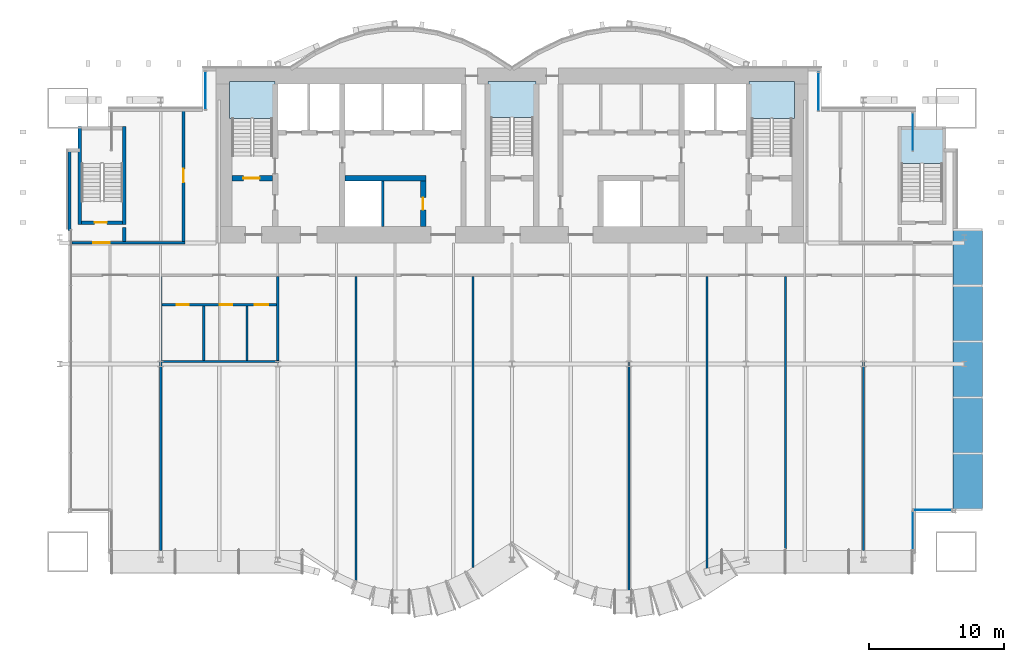
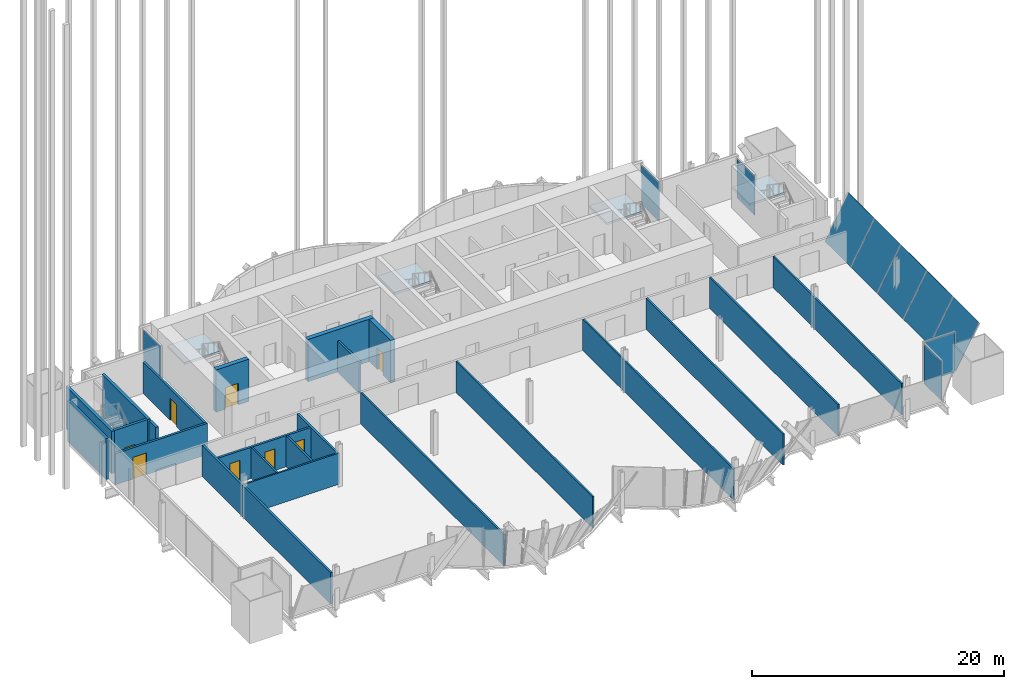
# One storey, part 17 of 22: 23 walls, 10 plates, 8 doors, 4 slabs, 8 openings, 10 elements without a shape of their own.
"""IFC4 building model written with IfcOpenShell, lengths in metres."""

from ifc_helpers import new_model, si_unit, direction, frame, frame_2d, origin, origin_2d, place, context, subcontext, project, spatial, polyline, rectangle, outline, extrude, material, layer, layer_set, layer_usage, type_object, element, fill, aggregate, save


model = new_model("IFC4")

# Units and contexts
model_context = context("Model", 3, precision=1e-05, world=origin(), true_north=direction((0.0, 1.0)))
body_context = subcontext(model_context, "Body", "Model", "MODEL_VIEW")
ifc_project = project(units=[si_unit("LENGTHUNIT", "METRE"), si_unit("AREAUNIT", "SQUARE_METRE"), si_unit("VOLUMEUNIT", "CUBIC_METRE"), si_unit("PLANEANGLEUNIT", "RADIAN"), si_unit("MASSUNIT", "GRAM", prefix="KILO")], contexts=[model_context])

# Site, building, storey
site_placement = place(None, origin())
site = spatial("IfcSite", under=ifc_project, at=site_placement, CompositionType="ELEMENT")
building_placement = place(site_placement, origin())
building = spatial("IfcBuilding", under=site, at=building_placement, Name="Bicima Exchange Tower", CompositionType="ELEMENT")
storey_placement = place(building_placement, frame((0.0, 0.0, 89.89990234375)))
storey = spatial("IfcBuildingStorey", under=building, at=storey_placement, Name="L18", CompositionType="ELEMENT", Elevation=89.89990234375)

# Curtain wall, plate
ifc_material_1 = material(Name="Anodised bronze aluminium", Category="aluminium")
curtain_wall_type = type_object("IfcCurtainWallType", Name="Front glass wall", PredefinedType="NOTDEFINED", material=ifc_material_1)
curtain_wall_1_placement = place(storey_placement, origin())
curtain_wall_1 = element("IfcCurtainWall", 1, at=curtain_wall_1_placement, inside=storey, type_object=curtain_wall_type, Name="Front glass wall L18 run 2", PredefinedType="NOTDEFINED")
ifc_material_2 = material(Name="Bronze tinted glass", Category="glass")
ifc_layer_1 = layer(ifc_material_2, 0.031982421875)
ifc_layer_set_1 = layer_set([ifc_layer_1], Name="Bronze tinted glass")
plate_type_1 = type_object("IfcPlateType", Name="Front glass wall glass panel 32", PredefinedType="CURTAIN_PANEL", material=ifc_layer_set_1)
plate_1_placement = place(storey_placement, frame((29.77001953125, -4.77001953125, 0.0), z_axis=(0.0, 0.0, 1.0), x_axis=(0.0, 1.0, 0.0)))
plate_1 = element("IfcPlate", 2, at=plate_1_placement, type_object=plate_type_1, Name="Front glass wall panel 1.1", PredefinedType="CURTAIN_PANEL", context=body_context, shape_type="SweptSolid", body=[
    extrude(rectangle(XDim=2.800048828125, YDim=0.031982421875, at=origin_2d()), origin(), (0.0, 0.0, 1.0), 3.81005859375),
])
aggregate(curtain_wall_1, [plate_1])

curtain_wall_2_placement = place(storey_placement, origin())
curtain_wall_2 = element("IfcCurtainWall", 3, at=curtain_wall_2_placement, inside=storey, type_object=curtain_wall_type, Name="Front glass wall L18 run 3", PredefinedType="NOTDEFINED")
plate_2_placement = place(storey_placement, frame((22.77001953125, -1.77001953125, 0.0), z_axis=(0.0, 0.0, 1.0), x_axis=(0.0, 1.0, 0.0)))
plate_2 = element("IfcPlate", 4, at=plate_2_placement, type_object=plate_type_1, Name="Front glass wall panel 1.1", PredefinedType="CURTAIN_PANEL", context=body_context, shape_type="SweptSolid", body=[
    extrude(rectangle(XDim=2.800048828125, YDim=0.031982421875, at=origin_2d()), origin(), (0.0, 0.0, 1.0), 3.81005859375),
])
aggregate(curtain_wall_2, [plate_2])

curtain_wall_3_placement = place(storey_placement, origin())
curtain_wall_3 = element("IfcCurtainWall", 5, at=curtain_wall_3_placement, inside=storey, type_object=curtain_wall_type, Name="Front glass wall L18 run 4", PredefinedType="NOTDEFINED")
plate_3_placement = place(storey_placement, frame((-22.77001953125, -1.68994140625, 0.0), z_axis=(0.0, 0.0, 1.0), x_axis=(0.0, -1.0, 0.0)))
plate_3 = element("IfcPlate", 6, at=plate_3_placement, type_object=plate_type_1, Name="Front glass wall panel 1.1", PredefinedType="CURTAIN_PANEL", context=body_context, shape_type="SweptSolid", body=[
    extrude(rectangle(XDim=2.800048828125, YDim=0.031982421875, at=origin_2d()), origin(), (0.0, 0.0, 1.0), 3.81005859375),
])
aggregate(curtain_wall_3, [plate_3])

curtain_wall_4_placement = place(storey_placement, origin())
curtain_wall_4 = element("IfcCurtainWall", 7, at=curtain_wall_4_placement, inside=storey, type_object=curtain_wall_type, Name="Front glass wall L18 run 21", PredefinedType="NOTDEFINED")
plate_4_placement = place(storey_placement, frame((29.77001953125, -34.382080078125, 0.0), z_axis=(0.0, 0.0, 1.0), x_axis=(0.0, 1.0, 0.0)))
plate_4 = element("IfcPlate", 8, at=plate_4_placement, type_object=plate_type_1, Name="Front glass wall panel 1.1", PredefinedType="CURTAIN_PANEL", context=body_context, shape_type="SweptSolid", body=[
    extrude(rectangle(XDim=2.800048828125, YDim=0.031982421875, at=origin_2d()), origin(), (0.0, 0.0, 1.0), 3.81005859375),
])
aggregate(curtain_wall_4, [plate_4])

curtain_wall_5_placement = place(storey_placement, origin())
curtain_wall_5 = element("IfcCurtainWall", 9, at=curtain_wall_5_placement, inside=storey, type_object=curtain_wall_type, Name="Front glass wall L18 run 22", PredefinedType="NOTDEFINED")
plate_5_placement = place(storey_placement, frame((31.22998046875, -32.842041015625, 0.0), z_axis=(0.0, 0.0, 1.0), x_axis=(1.0, 0.0, 0.0)))
plate_5 = element("IfcPlate", 10, at=plate_5_placement, type_object=plate_type_1, Name="Front glass wall panel 1.1", PredefinedType="CURTAIN_PANEL", context=body_context, shape_type="SweptSolid", body=[
    extrude(rectangle(XDim=2.800048828125, YDim=0.031982421875, at=origin_2d()), origin(), (0.0, 0.0, 1.0), 3.81005859375),
])
aggregate(curtain_wall_5, [plate_5])

# Curtain wall, plates
curtain_wall_6_placement = place(storey_placement, origin())
curtain_wall_6 = element("IfcCurtainWall", 11, at=curtain_wall_6_placement, inside=storey, type_object=curtain_wall_type, Name="Canted glass wall L18 1.1", PredefinedType="NOTDEFINED")
ifc_material_3 = material(Name="Bronze anodised aluminium", Category="aluminium")
ifc_layer_2 = layer(ifc_material_3, 0.031982421875)
ifc_layer_set_2 = layer_set([ifc_layer_2], Name="Bronze anodised aluminium")
plate_type_2 = type_object("IfcPlateType", Name="Front glass wall spandrel panel 32", PredefinedType="CURTAIN_PANEL", material=ifc_layer_set_2)
plate_6_placement = place(storey_placement, frame((32.77001953125, -32.781982421875, 0.0), z_axis=(-0.876673101154, 0.0, 0.481086555324), x_axis=(0.0, 1.0, 0.0)))
plate_6 = element("IfcPlate", 12, at=plate_6_placement, type_object=plate_type_2, Name="Canted glass panel 1", PredefinedType="CURTAIN_PANEL", context=body_context, shape_type="SweptSolid", body=[
    extrude(outline(polyline([(0.0, 0.0), (4.096435546875, 0.0), (4.096435546875, -4.5058931399875615), (0.0, -4.5058931399875615), (0.0, 0.0)])), origin(), (0.0, 0.0, -1.0), 0.031982421875),
])
plate_7_placement = place(storey_placement, frame((32.77001953125, -28.62548828125, 0.0), z_axis=(-0.876673101154, 0.0, 0.481086555324), x_axis=(0.0, 1.0, 0.0)))
plate_7 = element("IfcPlate", 13, at=plate_7_placement, type_object=plate_type_2, Name="Canted glass panel 2", PredefinedType="CURTAIN_PANEL", context=body_context, shape_type="SweptSolid", body=[
    extrude(outline(polyline([(0.0, 0.0), (4.09619140625, 0.0), (4.09619140625, -4.505893139987562), (0.0, -4.505893139987562), (0.0, 0.0)])), origin(), (0.0, 0.0, -1.0), 0.031982421875),
])
plate_8_placement = place(storey_placement, frame((32.77001953125, -24.46923828125, 0.0), z_axis=(-0.876673101154, 0.0, 0.481086555324), x_axis=(0.0, 1.0, 0.0)))
plate_8 = element("IfcPlate", 14, at=plate_8_placement, type_object=plate_type_2, Name="Canted glass panel 3", PredefinedType="CURTAIN_PANEL", context=body_context, shape_type="SweptSolid", body=[
    extrude(outline(polyline([(0.0, 0.0), (4.096435546875, 0.0), (4.096435546875, -4.5058931399875615), (0.0, -4.5058931399875615), (0.0, 0.0)])), origin(), (0.0, 0.0, -1.0), 0.031982421875),
])
plate_9_placement = place(storey_placement, frame((32.77001953125, -20.312744140625, 0.0), z_axis=(-0.876673101154, 0.0, 0.481086555324), x_axis=(0.0, 1.0, 0.0)))
plate_9 = element("IfcPlate", 15, at=plate_9_placement, type_object=plate_type_2, Name="Canted glass panel 4", PredefinedType="CURTAIN_PANEL", context=body_context, shape_type="SweptSolid", body=[
    extrude(outline(polyline([(0.0, 0.0), (4.096435546875, 0.0), (4.096435546875, -4.5058931399875615), (0.0, -4.5058931399875615), (0.0, 0.0)])), origin(), (0.0, 0.0, -1.0), 0.031982421875),
])
plate_10_placement = place(storey_placement, frame((32.77001953125, -16.156494140625, 0.0), z_axis=(-0.876673101154, 0.0, 0.481086555324), x_axis=(0.0, 1.0, 0.0)))
plate_10 = element("IfcPlate", 16, at=plate_10_placement, type_object=plate_type_2, Name="Canted glass panel 5", PredefinedType="CURTAIN_PANEL", context=body_context, shape_type="SweptSolid", body=[
    extrude(outline(polyline([(0.0, 0.0), (4.096435546875, 0.0), (4.096435546875, -4.5058931399875615), (0.0, -4.5058931399875615), (0.0, 0.0)])), origin(), (0.0, 0.0, -1.0), 0.031982421875),
])
aggregate(curtain_wall_6, [plate_6, plate_7, plate_8, plate_9, plate_10])

# Stair, slab
ifc_material_4 = material(Name="Concrete C50/60", Category="concrete")
stair_type_1 = type_object("IfcStairType", Name="Exit stair", PredefinedType="HALF_TURN_STAIR", material=ifc_material_4)
stair_1_placement = place(storey_placement, origin())
stair_1 = element("IfcStair", 17, at=stair_1_placement, inside=storey, type_object=stair_type_1, Name="L18 West exit stair", PredefinedType="HALF_TURN_STAIR")
ifc_layer_3 = layer(ifc_material_4, 0.199951171875)
ifc_layer_set_3 = layer_set([ifc_layer_3], Name="Concrete C50/60")
slab_type = type_object("IfcSlabType", Name="Stair landing slab", PredefinedType="LANDING", material=ifc_layer_set_3)
slab_1_placement = place(storey_placement, frame((0.0, 0.0, 1.85009765625)))
slab_1 = element("IfcSlab", 18, at=slab_1_placement, type_object=slab_type, Name="ST-W landing 1", PredefinedType="LANDING", context=body_context, shape_type="SweptSolid", body=[
    extrude(outline(polyline([(-17.60009765625, -3.75), (-17.60009765625, -1.0), (-21.0, -1.0), (-21.0, -3.75), (-17.60009765625, -3.75)])), origin(), (0.0, 0.0, 1.0), 0.199951171875),
])
aggregate(stair_1, [slab_1])

stair_type_2 = type_object("IfcStairType", Name="Exit stair 1500", PredefinedType="HALF_TURN_STAIR", material=ifc_material_4)
stair_2_placement = place(storey_placement, origin())
stair_2 = element("IfcStair", 19, at=stair_2_placement, inside=storey, type_object=stair_type_2, Name="L18 Central exit stair", PredefinedType="HALF_TURN_STAIR")
slab_2_placement = place(storey_placement, frame((0.0, 0.0, 1.85009765625)))
slab_2 = element("IfcSlab", 20, at=slab_2_placement, type_object=slab_type, Name="ST-C landing 1", PredefinedType="LANDING", context=body_context, shape_type="SweptSolid", body=[
    extrude(outline(polyline([(1.77490234375, -3.699951171875), (1.77490234375, -1.0), (-1.77490234375, -1.0), (-1.77490234375, -3.699951171875), (1.77490234375, -3.699951171875)])), origin(), (0.0, 0.0, 1.0), 0.199951171875),
])
aggregate(stair_2, [slab_2])

stair_3_placement = place(storey_placement, origin())
stair_3 = element("IfcStair", 21, at=stair_3_placement, inside=storey, type_object=stair_type_1, Name="L18 East exit stair", PredefinedType="HALF_TURN_STAIR")
slab_3_placement = place(storey_placement, frame((0.0, 0.0, 1.85009765625)))
slab_3 = element("IfcSlab", 22, at=slab_3_placement, type_object=slab_type, Name="ST-E landing 1", PredefinedType="LANDING", context=body_context, shape_type="SweptSolid", body=[
    extrude(outline(polyline([(21.0, -3.75), (21.0, -1.0), (17.60009765625, -1.0), (17.60009765625, -3.75), (21.0, -3.75)])), origin(), (0.0, 0.0, 1.0), 0.199951171875),
])
aggregate(stair_3, [slab_3])

stair_4_placement = place(storey_placement, origin())
stair_4 = element("IfcStair", 23, at=stair_4_placement, inside=storey, type_object=stair_type_1, Name="L18 East end exit stair", PredefinedType="HALF_TURN_STAIR")
slab_4_placement = place(storey_placement, frame((0.0, 0.0, 1.85009765625)))
slab_4 = element("IfcSlab", 24, at=slab_4_placement, type_object=slab_type, Name="ST-EE landing 1", PredefinedType="LANDING", context=body_context, shape_type="SweptSolid", body=[
    extrude(outline(polyline([(32.175048828125, -7.125), (32.175048828125, -4.425048828125), (28.72509765625, -4.425048828125), (28.72509765625, -7.125), (32.175048828125, -7.125)])), origin(), (0.0, 0.0, 1.0), 0.199951171875),
])
aggregate(stair_4, [slab_4])

# Wall
ifc_material_5 = material(Name="Gypsum board partition")
ifc_layer_4 = layer(ifc_material_5, 0.199951171875)
ifc_layer_set_4 = layer_set([ifc_layer_4], Name="Gypsum board partition")
wall_type_1 = type_object("IfcWallType", Name="Fire-rated gypsum partition 200 EI120", PredefinedType="PARTITIONING", material=ifc_layer_set_4)
wall_1_placement = place(storey_placement, frame((-9.60009765625, -11.800048828125, 0.0), z_axis=(0.0, 0.0, 1.0), x_axis=(0.0, 1.0, 0.0)))
element("IfcWall", 25, at=wall_1_placement, inside=storey, type_object=wall_type_1, Name="partition wall 11", PredefinedType="PARTITIONING", context=body_context, shape_type="SweptSolid", body=[
    extrude(rectangle(XDim=3.400146484375, YDim=0.199951171875, at=frame_2d((1.7001953125, 0.0))), origin(), (0.0, 0.0, 1.0), 3.018310546875),
])

# Wall, openings, doors
ifc_layer_5 = layer(ifc_material_5, 0.199951171875)
ifc_layer_set_5 = layer_set([ifc_layer_5], Name="Gypsum board partition")
wall_type_2 = type_object("IfcWallType", Name="Fire-rated gypsum partition 200 EI60", PredefinedType="PARTITIONING", material=ifc_layer_set_5)
wall_2_placement = place(storey_placement, frame((-26.0, -17.60009765625, 0.0), z_axis=(0.0, 0.0, 1.0), x_axis=(1.0, 0.0, 0.0)))
wall_2 = element("IfcWall", 26, at=wall_2_placement, inside=storey, type_object=wall_type_2, Name="partition wall 2", PredefinedType="PARTITIONING", context=body_context, shape_type="SweptSolid", body=[
    extrude(rectangle(XDim=8.5, YDim=0.199951171875, at=frame_2d((4.25, 0.0))), origin(), (0.0, 0.0, 1.0), 3.018310546875),
])
opening_1_placement = place(wall_2_placement, frame((1.10009765625, 0.0, 0.0)))
opening_1 = element("IfcOpeningElement", 27, at=opening_1_placement, cuts=wall_2, Name="Opening L18-009", PredefinedType="OPENING", context=body_context, shape_type="SweptSolid", body=[
    extrude(rectangle(XDim=0.89990234375, YDim=2.10009765625, at=frame_2d((0.449951171875, 1.050048828125))), frame((0.0, 0.11181640625, 0.0), z_axis=(0.0, -1.0, 0.0), x_axis=(1.0, 0.0, 0.0)), (0.0, 0.0, 1.0), 0.223876953125),
])
opening_2_placement = place(wall_2_placement, frame((4.300048828125, 0.0, 0.0)))
opening_2 = element("IfcOpeningElement", 28, at=opening_2_placement, cuts=wall_2, Name="Opening L18-010", PredefinedType="OPENING", context=body_context, shape_type="SweptSolid", body=[
    extrude(rectangle(XDim=0.89990234375, YDim=2.10009765625, at=frame_2d((0.449951171875, 1.050048828125))), frame((0.0, 0.11181640625, 0.0), z_axis=(0.0, -1.0, 0.0), x_axis=(1.0, 0.0, 0.0)), (0.0, 0.0, 1.0), 0.223876953125),
])
opening_3_placement = place(wall_2_placement, frame((6.89990234375, 0.0, 0.0)))
opening_3 = element("IfcOpeningElement", 29, at=opening_3_placement, cuts=wall_2, Name="Opening L18-011", PredefinedType="OPENING", context=body_context, shape_type="SweptSolid", body=[
    extrude(rectangle(XDim=1.0, YDim=2.10009765625, at=frame_2d((0.5, 1.050048828125))), frame((0.0, 0.11181640625, 0.0), z_axis=(0.0, -1.0, 0.0), x_axis=(1.0, 0.0, 0.0)), (0.0, 0.0, 1.0), 0.223876953125),
])
ifc_material_6 = material(Name="Steel fire door leaf", Category="steel")
door_type_1 = type_object("IfcDoorType", Name="Door 1000 swing FD30S", OperationType="SINGLE_SWING_LEFT", PredefinedType="DOOR", material=ifc_material_6)
door_1_placement = place(opening_3_placement, frame((1.0, 0.0, 0.0), z_axis=(0.0, 0.0, 1.0), x_axis=(-1.0, 0.0, 0.0)))
door_1 = element("IfcDoor", 30, at=door_1_placement, inside=storey, type_object=door_type_1, Name="Door", OperationType="SINGLE_SWING_RIGHT", OverallHeight=2.10009765625, OverallWidth=1.0, PredefinedType="DOOR", context=body_context, shape_type="SweptSolid", body=[
    extrude(rectangle(XDim=1.0, YDim=2.10009765625, at=frame_2d((0.5, 1.050048828125))), frame((0.0, 0.02490234375, 0.0), z_axis=(0.0, -1.0, 0.0), x_axis=(1.0, 0.0, 0.0)), (0.0, 0.0, 1.0), 0.050048828125),
])
fill(opening_3, door_1)
door_type_2 = type_object("IfcDoorType", Name="Door 900 swing FD30S", OperationType="SINGLE_SWING_LEFT", PredefinedType="DOOR", material=ifc_material_6)
door_2_placement = place(opening_1_placement, frame((0.89990234375, 0.0, 0.0), z_axis=(0.0, 0.0, 1.0), x_axis=(-1.0, 0.0, 0.0)))
door_2 = element("IfcDoor", 31, at=door_2_placement, inside=storey, type_object=door_type_2, Name="Door", OperationType="SINGLE_SWING_RIGHT", OverallHeight=2.10009765625, OverallWidth=0.89990234375, PredefinedType="DOOR", context=body_context, shape_type="SweptSolid", body=[
    extrude(rectangle(XDim=0.89990234375, YDim=2.10009765625, at=frame_2d((0.449951171875, 1.050048828125))), frame((0.0, 0.02490234375, 0.0), z_axis=(0.0, -1.0, 0.0), x_axis=(1.0, 0.0, 0.0)), (0.0, 0.0, 1.0), 0.050048828125),
])
fill(opening_1, door_2)
door_3_placement = place(opening_2_placement, frame((0.89990234375, 0.0, 0.0), z_axis=(0.0, 0.0, 1.0), x_axis=(-1.0, 0.0, 0.0)))
door_3 = element("IfcDoor", 32, at=door_3_placement, inside=storey, type_object=door_type_2, Name="Door", OperationType="SINGLE_SWING_LEFT", OverallHeight=2.10009765625, OverallWidth=0.89990234375, PredefinedType="DOOR", context=body_context, shape_type="SweptSolid", body=[
    extrude(rectangle(XDim=0.89990234375, YDim=2.10009765625, at=frame_2d((0.449951171875, 1.050048828125))), frame((0.0, 0.02490234375, 0.0), z_axis=(0.0, -1.0, 0.0), x_axis=(1.0, 0.0, 0.0)), (0.0, 0.0, 1.0), 0.050048828125),
])
fill(opening_2, door_3)

# Wall, opening, door
wall_3_placement = place(storey_placement, frame((-32.699951171875, -13.0, 0.0), z_axis=(0.0, 0.0, 1.0), x_axis=(1.0, 0.0, 0.0)))
wall_3 = element("IfcWall", 33, at=wall_3_placement, inside=storey, type_object=wall_type_2, Name="partition wall 4", PredefinedType="PARTITIONING", context=body_context, shape_type="SweptSolid", body=[
    extrude(rectangle(XDim=8.39990234375, YDim=0.199951171875, at=frame_2d((4.199951171875, 0.0))), origin(), (0.0, 0.0, 1.0), 3.018310546875),
])
opening_4_placement = place(wall_3_placement, frame((1.60009765625, 0.0, 0.0)))
opening_4 = element("IfcOpeningElement", 34, at=opening_4_placement, cuts=wall_3, Name="Opening L18-001", PredefinedType="OPENING", context=body_context, shape_type="SweptSolid", body=[
    extrude(rectangle(XDim=1.199951171875, YDim=2.10009765625, at=frame_2d((0.60009765625, 1.050048828125))), frame((0.0, 0.11181640625, 0.0), z_axis=(0.0, -1.0, 0.0), x_axis=(1.0, 0.0, 0.0)), (0.0, 0.0, 1.0), 0.223876953125),
])
door_type_3 = type_object("IfcDoorType", Name="Door 1200 swing FD30S", OperationType="SINGLE_SWING_LEFT", PredefinedType="DOOR", material=ifc_material_6)
door_4_placement = place(opening_4_placement, origin())
door_4 = element("IfcDoor", 35, at=door_4_placement, inside=storey, type_object=door_type_3, Name="Door", OperationType="SINGLE_SWING_LEFT", OverallHeight=2.10009765625, OverallWidth=1.199951171875, PredefinedType="DOOR", context=body_context, shape_type="SweptSolid", body=[
    extrude(rectangle(XDim=1.199951171875, YDim=2.10009765625, at=frame_2d((0.60009765625, 1.050048828125))), frame((0.0, 0.02490234375, 0.0), z_axis=(0.0, -1.0, 0.0), x_axis=(1.0, 0.0, 0.0)), (0.0, 0.0, 1.0), 0.050048828125),
])
fill(opening_4, door_4)

# Wall
wall_4_placement = place(storey_placement, frame((-26.10009765625, -35.860107421875, 0.0), z_axis=(0.0, 0.0, 1.0), x_axis=(0.0, 1.0, 0.0)))
element("IfcWall", 36, at=wall_4_placement, inside=storey, type_object=wall_type_2, Name="partition wall 15", PredefinedType="PARTITIONING", context=body_context, shape_type="SweptSolid", body=[
    extrude(rectangle(XDim=20.360107421875, YDim=0.199951171875, at=frame_2d((10.18017578125, 0.0))), origin(), (0.0, 0.0, 1.0), 3.018310546875),
])

# Wall, opening, door
wall_5_placement = place(storey_placement, frame((-24.39990234375, -12.89990234375, 0.0), z_axis=(0.0, 0.0, 1.0), x_axis=(0.0, 1.0, 0.0)))
wall_5 = element("IfcWall", 37, at=wall_5_placement, inside=storey, type_object=wall_type_2, Name="partition wall 16", PredefinedType="PARTITIONING", context=body_context, shape_type="SweptSolid", body=[
    extrude(rectangle(XDim=9.68994140625, YDim=0.199951171875, at=frame_2d((4.844970703125, 0.0))), origin(), (0.0, 0.0, 1.0), 3.018310546875),
])
opening_5_placement = place(wall_5_placement, frame((4.39990234375, 0.0, 0.0)))
opening_5 = element("IfcOpeningElement", 38, at=opening_5_placement, cuts=wall_5, Name="Opening L18-005", PredefinedType="OPENING", context=body_context, shape_type="SweptSolid", body=[
    extrude(rectangle(XDim=1.0, YDim=2.10009765625, at=frame_2d((0.5, 1.050048828125))), frame((0.0, 0.11181640625, 0.0), z_axis=(0.0, -1.0, 0.0), x_axis=(1.0, 0.0, 0.0)), (0.0, 0.0, 1.0), 0.223876953125),
])
door_5_placement = place(opening_5_placement, origin())
door_5 = element("IfcDoor", 39, at=door_5_placement, inside=storey, type_object=door_type_1, Name="Door", OperationType="SINGLE_SWING_LEFT", OverallHeight=2.10009765625, OverallWidth=1.0, PredefinedType="DOOR", context=body_context, shape_type="SweptSolid", body=[
    extrude(rectangle(XDim=1.0, YDim=2.10009765625, at=frame_2d((0.5, 1.050048828125))), frame((0.0, 0.02490234375, 0.0), z_axis=(0.0, -1.0, 0.0), x_axis=(1.0, 0.0, 0.0)), (0.0, 0.0, 1.0), 0.050048828125),
])
fill(opening_5, door_5)

# Walls
wall_6_placement = place(storey_placement, frame((-17.39990234375, -21.72509765625, 0.0), z_axis=(0.0, 0.0, 1.0), x_axis=(0.0, 1.0, 0.0)))
element("IfcWall", 40, at=wall_6_placement, inside=storey, type_object=wall_type_2, Name="partition wall 19", PredefinedType="PARTITIONING", context=body_context, shape_type="SweptSolid", body=[
    extrude(rectangle(XDim=6.22509765625, YDim=0.199951171875, at=frame_2d((3.112548828125, 0.0))), origin(), (0.0, 0.0, 1.0), 3.018310546875),
])
ifc_layer_6 = layer(ifc_material_5, 0.14990234375)
ifc_layer_set_6 = layer_set([ifc_layer_6], Name="Gypsum board partition")
wall_type_3 = type_object("IfcWallType", Name="Gypsum partition 150", PredefinedType="PARTITIONING", material=ifc_layer_set_6)
wall_7_placement = place(storey_placement, frame((-26.0, -21.800048828125, 0.0), z_axis=(0.0, 0.0, 1.0), x_axis=(1.0, 0.0, 0.0)))
element("IfcWall", 41, at=wall_7_placement, inside=storey, type_object=wall_type_3, Name="partition wall 1", PredefinedType="PARTITIONING", context=body_context, shape_type="SweptSolid", body=[
    extrude(rectangle(XDim=8.699951171875, YDim=0.14990234375, at=frame_2d((4.35009765625, 0.0))), origin(), (0.0, 0.0, 1.0), 3.018310546875),
])
for number, where, z_axis, x_axis, name in (
    (42, (-22.89990234375, -21.72509765625, 0.0), (0.0, 0.0, 1.0), (0.0, 1.0, 0.0), "partition wall 17"),
    (43, (-19.699951171875, -21.72509765625, 0.0), (0.0, 0.0, 1.0), (0.0, 1.0, 0.0), "partition wall 18"),
):
    element("IfcWall", number, at=place(storey_placement, frame(where, z_axis=z_axis, x_axis=x_axis)), inside=storey, type_object=wall_type_3, Name=name, PredefinedType="PARTITIONING", context=body_context, shape_type="SweptSolid", body=[
        extrude(rectangle(XDim=4.025146484375, YDim=0.14990234375, at=frame_2d((2.0126953125, 0.0))), origin(), (0.0, 0.0, 1.0), 3.018310546875),
    ])
wall_8_placement = place(storey_placement, frame((-11.60009765625, -38.17626953125, 0.0), z_axis=(0.0, 0.0, 1.0), x_axis=(0.0, 1.0, 0.0)))
element("IfcWall", 44, at=wall_8_placement, inside=storey, type_object=wall_type_3, Name="partition wall 20", PredefinedType="PARTITIONING", context=body_context, shape_type="SweptSolid", body=[
    extrude(rectangle(XDim=22.67626953125, YDim=0.14990234375, at=frame_2d((11.338134765625, 0.0))), origin(), (0.0, 0.0, 1.0), 3.018310546875),
])
wall_9_placement = place(storey_placement, frame((-2.89990234375, -37.1201171875, 0.0), z_axis=(0.0, 0.0, 1.0), x_axis=(0.0, 1.0, 0.0)))
element("IfcWall", 45, at=wall_9_placement, inside=storey, type_object=wall_type_3, Name="partition wall 21", PredefinedType="PARTITIONING", context=body_context, shape_type="SweptSolid", body=[
    extrude(rectangle(XDim=21.6201171875, YDim=0.14990234375, at=frame_2d((10.81005859375, 0.0))), origin(), (0.0, 0.0, 1.0), 3.018310546875),
])
wall_10_placement = place(storey_placement, frame((8.699951171875, -39.417236328125, 0.0), z_axis=(0.0, 0.0, 1.0), x_axis=(0.0, 1.0, 0.0)))
element("IfcWall", 46, at=wall_10_placement, inside=storey, type_object=wall_type_3, Name="partition wall 22", PredefinedType="PARTITIONING", context=body_context, shape_type="SweptSolid", body=[
    extrude(rectangle(XDim=23.917236328125, YDim=0.14990234375, at=frame_2d((11.95849609375, 0.0))), origin(), (0.0, 0.0, 1.0), 3.018310546875),
])
wall_11_placement = place(storey_placement, frame((14.5, -37.18896484375, 0.0), z_axis=(0.0, 0.0, 1.0), x_axis=(0.0, 1.0, 0.0)))
element("IfcWall", 47, at=wall_11_placement, inside=storey, type_object=wall_type_3, Name="partition wall 23", PredefinedType="PARTITIONING", context=body_context, shape_type="SweptSolid", body=[
    extrude(rectangle(XDim=21.68896484375, YDim=0.14990234375, at=frame_2d((10.844482421875, 0.0))), origin(), (0.0, 0.0, 1.0), 3.018310546875),
])
for number, where, z_axis, x_axis, name in (
    (48, (20.300048828125, -35.860107421875, 0.0), (0.0, 0.0, 1.0), (0.0, 1.0, 0.0), "partition wall 24"),
    (49, (26.10009765625, -35.860107421875, 0.0), (0.0, 0.0, 1.0), (0.0, 1.0, 0.0), "partition wall 26"),
):
    element("IfcWall", number, at=place(storey_placement, frame(where, z_axis=z_axis, x_axis=x_axis)), inside=storey, type_object=wall_type_3, Name=name, PredefinedType="PARTITIONING", context=body_context, shape_type="SweptSolid", body=[
        extrude(rectangle(XDim=20.360107421875, YDim=0.14990234375, at=frame_2d((10.18017578125, 0.0))), origin(), (0.0, 0.0, 1.0), 3.018310546875),
    ])
ifc_layer_7 = layer(ifc_material_4, 0.25)
ifc_layer_set_7 = layer_set([ifc_layer_7], Name="Concrete C50/60")
wall_type_4 = type_object("IfcWallType", Name="RC core wall 250 C50/60", PredefinedType="SHEAR", material=ifc_layer_set_7)
wall_12_placement = place(storey_placement, frame((-28.800048828125, -12.89990234375, 0.0), z_axis=(0.0, 0.0, 1.0), x_axis=(0.0, 1.0, 0.0)))
element("IfcWall", 50, at=wall_12_placement, inside=storey, type_object=wall_type_4, Name="stair wall 14", PredefinedType="SHEAR", context=body_context, shape_type="SweptSolid", body=[
    extrude(rectangle(XDim=1.0498046875, YDim=0.25, at=frame_2d((0.52490234375, 0.0))), origin(), (0.0, 0.0, 1.0), 4.10009765625),
])

# Wall, opening, door
ifc_layer_8 = layer(ifc_material_4, 0.39990234375)
ifc_layer_set_8 = layer_set([ifc_layer_8], Name="Concrete C50/60")
wall_type_5 = type_object("IfcWallType", Name="RC core wall 400 C50/60", PredefinedType="SHEAR", material=ifc_layer_set_8)
wall_13_placement = place(storey_placement, frame((-20.800048828125, -8.199951171875, 0.0), z_axis=(0.0, 0.0, 1.0), x_axis=(1.0, 0.0, 0.0)))
wall_13 = element("IfcWall", 51, at=wall_13_placement, inside=storey, type_object=wall_type_5, Name="stair wall 1", PredefinedType="SHEAR", context=body_context, shape_type="SweptSolid", body=[
    extrude(rectangle(XDim=3.0, YDim=0.39990234375, at=frame_2d((1.5, 0.0))), origin(), (0.0, 0.0, 1.0), 4.10009765625),
])
opening_6_placement = place(wall_13_placement, frame((0.85009765625, 0.0, 0.0)))
opening_6 = element("IfcOpeningElement", 52, at=opening_6_placement, cuts=wall_13, Name="Opening L18-C01", PredefinedType="OPENING", context=body_context, shape_type="SweptSolid", body=[
    extrude(rectangle(XDim=1.199951171875, YDim=2.10009765625, at=frame_2d((0.60009765625, 1.050048828125))), frame((0.0, 0.2119140625, 0.0), z_axis=(0.0, -1.0, 0.0), x_axis=(1.0, 0.0, 0.0)), (0.0, 0.0, 1.0), 0.423828125),
])
door_type_4 = type_object("IfcDoorType", Name="Door 1200 swing FD60S", OperationType="SINGLE_SWING_LEFT", PredefinedType="DOOR", material=ifc_material_6)
door_6_placement = place(opening_6_placement, origin())
door_6 = element("IfcDoor", 53, at=door_6_placement, inside=storey, type_object=door_type_4, Name="Core door", OperationType="SINGLE_SWING_LEFT", OverallHeight=2.10009765625, OverallWidth=1.199951171875, PredefinedType="DOOR", context=body_context, shape_type="SweptSolid", body=[
    extrude(rectangle(XDim=1.199951171875, YDim=2.10009765625, at=frame_2d((0.60009765625, 1.050048828125))), frame((0.0, 0.02490234375, 0.0), z_axis=(0.0, -1.0, 0.0), x_axis=(1.0, 0.0, 0.0)), (0.0, 0.0, 1.0), 0.050048828125),
])
fill(opening_6, door_6)

# Wall
ifc_material_7 = material(Name="Concrete C60/75", Category="concrete")
ifc_layer_9 = layer(ifc_material_7, 0.39990234375)
ifc_layer_set_9 = layer_set([ifc_layer_9], Name="Concrete C60/75")
wall_type_6 = type_object("IfcWallType", Name="RC core wall 400 C60/75", PredefinedType="SHEAR", material=ifc_layer_set_9)
wall_14_placement = place(storey_placement, frame((-12.39990234375, -8.199951171875, 0.0), z_axis=(0.0, 0.0, 1.0), x_axis=(1.0, 0.0, 0.0)))
element("IfcWall", 54, at=wall_14_placement, inside=storey, type_object=wall_type_6, Name="shear wall 2", PredefinedType="SHEAR", context=body_context, shape_type="SweptSolid", body=[
    extrude(rectangle(XDim=6.0, YDim=0.39990234375, at=frame_2d((3.0, 0.0))), origin(), (0.0, 0.0, 1.0), 4.10009765625),
])

# Wall, opening, door
wall_15_placement = place(storey_placement, frame((-6.60009765625, -11.800048828125, 0.0), z_axis=(0.0, 0.0, 1.0), x_axis=(0.0, 1.0, 0.0)))
wall_15 = element("IfcWall", 55, at=wall_15_placement, inside=storey, type_object=wall_type_6, Name="shear wall 13", PredefinedType="SHEAR", context=body_context, shape_type="SweptSolid", body=[
    extrude(rectangle(XDim=3.400146484375, YDim=0.39990234375, at=frame_2d((1.7001953125, 0.0))), origin(), (0.0, 0.0, 1.0), 4.10009765625),
])
opening_7_placement = place(wall_15_placement, frame((1.25, 0.0, 0.0)))
opening_7 = element("IfcOpeningElement", 56, at=opening_7_placement, cuts=wall_15, Name="Opening L18-C15", PredefinedType="OPENING", context=body_context, shape_type="SweptSolid", body=[
    extrude(rectangle(XDim=0.89990234375, YDim=2.10009765625, at=frame_2d((0.449951171875, 1.050048828125))), frame((0.0, 0.2119140625, 0.0), z_axis=(0.0, -1.0, 0.0), x_axis=(1.0, 0.0, 0.0)), (0.0, 0.0, 1.0), 0.423828125),
])
door_7_placement = place(opening_7_placement, origin())
door_7 = element("IfcDoor", 57, at=door_7_placement, inside=storey, type_object=door_type_2, Name="Core door", OperationType="SINGLE_SWING_LEFT", OverallHeight=2.10009765625, OverallWidth=0.89990234375, PredefinedType="DOOR", context=body_context, shape_type="SweptSolid", body=[
    extrude(rectangle(XDim=0.89990234375, YDim=2.10009765625, at=frame_2d((0.449951171875, 1.050048828125))), frame((0.0, 0.02490234375, 0.0), z_axis=(0.0, -1.0, 0.0), x_axis=(1.0, 0.0, 0.0)), (0.0, 0.0, 1.0), 0.050048828125),
])
fill(opening_7, door_7)

# Walls
ifc_layer_10 = layer(ifc_material_4, 0.25)
ifc_layer_set_10 = layer_set([ifc_layer_10], Name="Concrete C50/60")
wall_type_7 = type_object("IfcWallType", Name="RC stair enclosure wall 250 C50/60", PredefinedType="SHEAR", material=ifc_layer_set_10)
for number, where, z_axis, x_axis, name in (
    (58, (-32.10009765625, -11.625, 0.0), (0.0, 0.0, 1.0), (0.0, 1.0, 0.0), "West end exit stair wall W"),
    (59, (-28.800048828125, -11.625, 0.0), (0.0, 0.0, 1.0), (0.0, 1.0, 0.0), "West end exit stair wall E"),
):
    element("IfcWall", number, at=place(storey_placement, frame(where, z_axis=z_axis, x_axis=x_axis)), inside=storey, type_object=wall_type_7, Name=name, PredefinedType="SHEAR", context=body_context, shape_type="SweptSolid", body=[
        extrude(rectangle(XDim=7.25, YDim=0.25, at=frame_2d((3.625, 0.0))), origin(), (0.0, 0.0, 1.0), 4.10009765625),
    ])

# Wall, opening, door
wall_16_placement = place(storey_placement, frame((-31.97509765625, -11.5, 0.0), z_axis=(0.0, 0.0, 1.0), x_axis=(1.0, 0.0, 0.0)))
wall_16 = element("IfcWall", 60, at=wall_16_placement, inside=storey, type_object=wall_type_7, Name="West end exit stair wall S", PredefinedType="SHEAR", context=body_context, shape_type="SweptSolid", body=[
    extrude(rectangle(XDim=3.050048828125, YDim=0.25, at=frame_2d((1.52490234375, 0.0))), origin(), (0.0, 0.0, 1.0), 4.10009765625),
])
opening_8_placement = place(wall_16_placement, frame((0.97509765625, 0.0, 0.0)))
opening_8 = element("IfcOpeningElement", 61, at=opening_8_placement, cuts=wall_16, Name="Opening L18-002", PredefinedType="OPENING", context=body_context, shape_type="SweptSolid", body=[
    extrude(rectangle(XDim=0.89990234375, YDim=2.10009765625, at=frame_2d((0.449951171875, 1.050048828125))), frame((0.0, 0.136962890625, 0.0), z_axis=(0.0, -1.0, 0.0), x_axis=(1.0, 0.0, 0.0)), (0.0, 0.0, 1.0), 0.27392578125),
])
door_type_5 = type_object("IfcDoorType", Name="Door 900 swing FD60S", OperationType="SINGLE_SWING_LEFT", PredefinedType="DOOR", material=ifc_material_6)
door_8_placement = place(opening_8_placement, origin())
door_8 = element("IfcDoor", 62, at=door_8_placement, inside=storey, type_object=door_type_5, Name="Door", OperationType="SINGLE_SWING_LEFT", OverallHeight=2.10009765625, OverallWidth=0.89990234375, PredefinedType="DOOR", context=body_context, shape_type="SweptSolid", body=[
    extrude(rectangle(XDim=0.89990234375, YDim=2.10009765625, at=frame_2d((0.449951171875, 1.050048828125))), frame((0.0, 0.02490234375, 0.0), z_axis=(0.0, -1.0, 0.0), x_axis=(1.0, 0.0, 0.0)), (0.0, 0.0, 1.0), 0.050048828125),
])
fill(opening_8, door_8)

# Wall
ifc_material_8 = material(Name="Concrete C40/50", Category="concrete")
ifc_layer_11 = layer(ifc_material_8, 0.25)
ifc_layer_set_11 = layer_set([ifc_layer_11], Name="Concrete C40/50")
ifc_layer_usage = layer_usage(ifc_layer_set_11, "AXIS2", "POSITIVE", -0.125)
wall_type_8 = type_object("IfcWallType", Name="Rear backup wall 250", PredefinedType="STANDARD", material=ifc_layer_set_11)
wall_17_placement = place(storey_placement, frame((-32.875, -6.0, 0.0), z_axis=(0.0, 0.0, 1.0), x_axis=(0.0, -1.0, 0.0)))
element("IfcWall", 63, at=wall_17_placement, inside=storey, type_object=wall_type_8, material=ifc_layer_usage, Name="Rear backup wall L18 31", PredefinedType="STANDARD", context=body_context, shape_type="SweptSolid", body=[
    extrude(rectangle(XDim=6.090087890625, YDim=0.25, at=frame_2d((3.044921875, 0.0))), origin(), (0.0, 0.0, 1.0), 3.9501953125),
])

save(model, "model.ifc")
